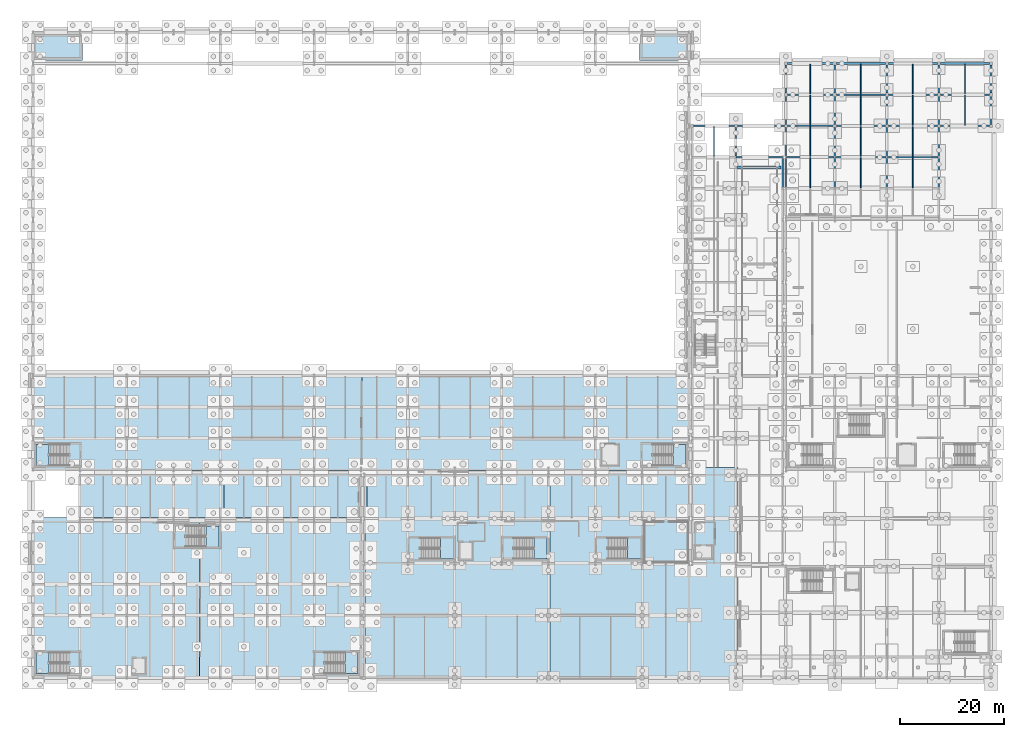
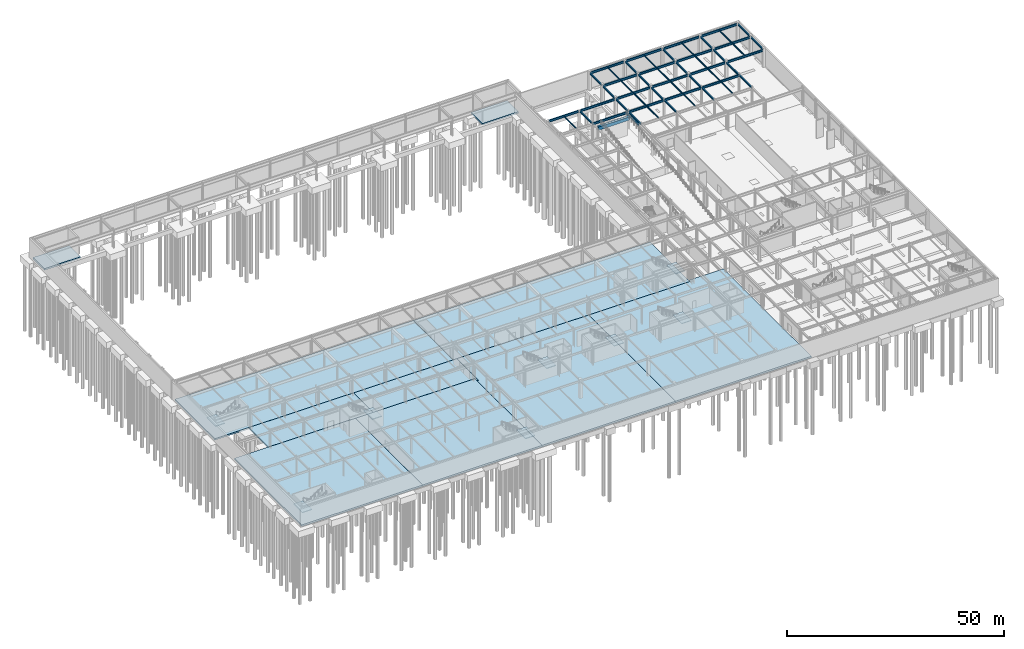
# One storey, part 39 of 65: 54 beams, 18 slabs, 8 elements without a shape of their own.
"""IFC4 building model written with IfcOpenShell, lengths in metres."""

import ifcopenshell
import ifcopenshell.guid

model = None  # the IFC model being written
_history = None  # IfcOwnerHistory: only IFC2X3 demands one
_inside = {}  # id of a spatial element -> (the spatial element, [elements in it])
_under = {}  # id of a project, library or spatial element -> (it, [spatial elements below it])
_declared = {}  # id of a project -> (the project, [libraries it declares])
_typed = {}  # id of a type object -> (the type object, [elements of that type])
_made_of = {}  # id of a material, layer set ... -> (it, [elements and type objects made of it])


def new_model(schema):
    """Start an empty IFC model of exactly this schema.

    Asked for "IFC4X3", IfcOpenShell would pick the latest addendum, in which some entities
    have other attributes; the version numbers below select the first issue.
    IFC2X3 requires an IfcOwnerHistory on every rooted entity: one is made here for all.
    """
    global model, _history
    if schema == "IFC4X3":
        model = ifcopenshell.file(schema_version=(4, 3, 0, 0))
    else:
        model = ifcopenshell.file(schema=schema)
    _inside.clear()
    _under.clear()
    _declared.clear()
    _typed.clear()
    _made_of.clear()
    _history = None
    if model.schema == "IFC2X3":
        org = make("IfcOrganization", Name="unknown")
        user = make(
            "IfcPersonAndOrganization",
            ThePerson=make("IfcPerson", FamilyName="unknown"),
            TheOrganization=org,
        )
        app = make(
            "IfcApplication",
            ApplicationDeveloper=org,
            Version="unknown",
            ApplicationFullName="unknown",
            ApplicationIdentifier="unknown",
        )
        _history = make(
            "IfcOwnerHistory",
            OwningUser=user,
            OwningApplication=app,
            ChangeAction="ADDED",
            CreationDate=0,
        )
    return model


def make(cls, **values):
    """One entity of the class cls with the attributes given. An attribute that is None is left unset."""
    return model.create_entity(
        cls, **{name: value for name, value in values.items() if value is not None}
    )


def rooted(cls, **values):
    """An entity with a GlobalId (a new one), such as an element, a storey or a relation."""
    return make(cls, GlobalId=ifcopenshell.guid.new(), OwnerHistory=_history, **values)


def si_unit(unit_type, name, prefix=None):
    """IfcSIUnit, for example si_unit("LENGTHUNIT", "METRE", prefix="MILLI")."""
    return make("IfcSIUnit", UnitType=unit_type, Prefix=prefix, Name=name)


def assignment(units):
    """IfcUnitAssignment: the units of a project."""
    return None if units is None else make("IfcUnitAssignment", Units=units)


def point(xyz):
    """IfcCartesianPoint."""
    return None if xyz is None else make("IfcCartesianPoint", Coordinates=xyz)


def direction(xyz):
    """IfcDirection."""
    return None if xyz is None else make("IfcDirection", DirectionRatios=xyz)


def frame(location, z_axis=None, x_axis=None):
    """IfcAxis2Placement3D, a coordinate frame: its origin and axes. An axis left out is left unset."""
    return make(
        "IfcAxis2Placement3D",
        Location=point(location),
        Axis=direction(z_axis),
        RefDirection=direction(x_axis),
    )


def frame_2d(location, x_axis=None):
    """IfcAxis2Placement2D, a coordinate frame in the plane: its origin and x axis."""
    return make(
        "IfcAxis2Placement2D", Location=point(location), RefDirection=direction(x_axis)
    )


def origin():
    """The frame at (0, 0, 0) with its axes left unset."""
    return frame((0.0, 0.0, 0.0))


def origin_2d():
    """The frame at (0, 0) in the plane with its x axis left unset."""
    return frame_2d((0.0, 0.0))


def place(relative_to, where):
    """IfcLocalPlacement: puts the frame where relative to a parent placement (None: the world)."""
    return make(
        "IfcLocalPlacement", PlacementRelTo=relative_to, RelativePlacement=where
    )


def context(
    kind, dimensions, precision=None, world=None, true_north=None, identifier=None
):
    """IfcGeometricRepresentationContext, for example the 3D "Model" context."""
    return make(
        "IfcGeometricRepresentationContext",
        ContextIdentifier=identifier,
        ContextType=kind,
        CoordinateSpaceDimension=dimensions,
        Precision=precision,
        WorldCoordinateSystem=world,
        TrueNorth=true_north,
    )


def subcontext(parent, identifier, kind, view, scale=None):
    """IfcGeometricRepresentationSubContext, for example "Body" below "Model"."""
    return make(
        "IfcGeometricRepresentationSubContext",
        ContextIdentifier=identifier,
        ContextType=kind,
        ParentContext=parent,
        TargetScale=scale,
        TargetView=view,
    )


def project(units=None, contexts=None):
    """IfcProject with its units and contexts."""
    return rooted(
        "IfcProject",
        Name="project",
        RepresentationContexts=contexts,
        UnitsInContext=assignment(units),
    )


def spatial(cls, under=None, at=None, **own):
    """A site, building, storey or space (cls), placed at a placement, below another one or the project."""
    s = rooted(cls, ObjectPlacement=at, **own)
    if under is not None:
        _under.setdefault(under.id(), (under, []))[1].append(s)
    return s


def polyline(points):
    """IfcPolyline through the points."""
    return make("IfcPolyline", Points=[point(p) for p in points])


def profile(cls, at=None, kind="AREA", **sizes):
    """A parametric profile (cls). Its sizes go by their IFC names, for example OverallWidth=200.0."""
    return make(cls, ProfileType=kind, Position=at, **sizes)


def rectangle(**sizes):
    """IfcRectangleProfileDef."""
    return profile("IfcRectangleProfileDef", **sizes)


def i_section(**sizes):
    """IfcIShapeProfileDef."""
    return profile("IfcIShapeProfileDef", **sizes)


def outline(outer, holes=None, kind="AREA"):
    """IfcArbitraryClosedProfileDef: a profile drawn as a closed curve; with holes, ...WithVoids."""
    if holes is None:
        return make("IfcArbitraryClosedProfileDef", ProfileType=kind, OuterCurve=outer)
    return make(
        "IfcArbitraryProfileDefWithVoids",
        ProfileType=kind,
        OuterCurve=outer,
        InnerCurves=holes,
    )


def extrude(swept, where, along, depth):
    """IfcExtrudedAreaSolid: the profile swept, set in the frame where, extruded along a direction by depth."""
    return make(
        "IfcExtrudedAreaSolid",
        SweptArea=swept,
        Position=where,
        ExtrudedDirection=direction(along),
        Depth=depth,
    )


def shape(context_of_items, identifier, shape_type, items):
    """IfcShapeRepresentation: the items that make up one representation, for example the "Body"."""
    return make(
        "IfcShapeRepresentation",
        ContextOfItems=context_of_items,
        RepresentationIdentifier=identifier,
        RepresentationType=shape_type,
        Items=items,
    )


def material(Name=None, Category=None):
    """IfcMaterial."""
    return make("IfcMaterial", Name=Name, Category=Category)


def layer(
    of_material, thickness, ventilated=None, Name=None, Category=None, Priority=None
):
    """IfcMaterialLayer: one layer of a wall or slab, of a material (None: an air gap)."""
    return make(
        "IfcMaterialLayer",
        Material=of_material,
        LayerThickness=thickness,
        IsVentilated=ventilated,
        Name=Name,
        Category=Category,
        Priority=Priority,
    )


def layer_set(layers, Name=None):
    """IfcMaterialLayerSet."""
    return make("IfcMaterialLayerSet", MaterialLayers=layers, LayerSetName=Name)


def material_profile(
    of_material, cross_section, Name=None, Category=None, Priority=None
):
    """IfcMaterialProfile: a cross section and its material."""
    return make(
        "IfcMaterialProfile",
        Name=Name,
        Material=of_material,
        Profile=cross_section,
        Priority=Priority,
        Category=Category,
    )


def profile_set(profiles, Name=None, composite=None):
    """IfcMaterialProfileSet."""
    return make(
        "IfcMaterialProfileSet",
        Name=Name,
        MaterialProfiles=profiles,
        CompositeProfile=composite,
    )


def made_of(thing, what):
    """Note that an element or type object is made of a material, layer set ...; save() writes the relation."""
    if what is not None:
        _made_of.setdefault(what.id(), (what, []))[1].append(thing)
    return thing


def type_object(cls, material=None, **own):
    """A type object (cls), such as IfcWallType, which elements share."""
    return made_of(rooted(cls, **own), material)


def element(
    cls,
    number,
    at=None,
    inside=None,
    cuts=None,
    type_object=None,
    material=None,
    context=None,
    identifier="Body",
    shape_type=None,
    held_by="IfcProductDefinitionShape",
    body=None,
    shapes=None,
    **own,
):
    """One element of the class cls, such as IfcWall. Its Tag is "e" and its number.

    at: its placement. inside: the storey or other place that contains it. cuts: it is an
    opening in that element (IfcRelVoidsElement). A single representation is given by context,
    identifier, shape_type and body (its items); several are given by shapes. held_by: the class
    of the entity that holds the representations. save() writes the other relations.
    """
    e = rooted(cls, Tag="e%d" % number, ObjectPlacement=at, **own)
    if body is not None:
        shapes = [shape(context, identifier, shape_type, body)]
    if shapes is not None:
        e.Representation = make(held_by, Representations=shapes)
    if inside is not None:
        _inside.setdefault(inside.id(), (inside, []))[1].append(e)
    if cuts is not None:
        rooted(
            "IfcRelVoidsElement", RelatingBuildingElement=cuts, RelatedOpeningElement=e
        )
    if type_object is not None:
        _typed.setdefault(type_object.id(), (type_object, []))[1].append(e)
    return made_of(e, material)


def aggregate(whole, parts):
    """IfcRelAggregates: a whole, such as a stair, and the parts it consists of."""
    return rooted("IfcRelAggregates", RelatingObject=whole, RelatedObjects=parts)


def save(model, path):
    """Write the relations noted so far, then the file.

    IfcRelAggregates (storeys below a building ...), IfcRelContainedInSpatialStructure (elements
    in a storey), IfcRelDefinesByType, IfcRelAssociatesMaterial and IfcRelDeclares: one each for
    every whole, place, type object, material and project.
    """
    for whole, parts in _under.values():
        aggregate(whole, parts)
    for where, things in _inside.values():
        rooted(
            "IfcRelContainedInSpatialStructure",
            RelatedElements=things,
            RelatingStructure=where,
        )
    for kind, things in _typed.values():
        rooted("IfcRelDefinesByType", RelatedObjects=things, RelatingType=kind)
    for what, things in _made_of.values():
        rooted("IfcRelAssociatesMaterial", RelatedObjects=things, RelatingMaterial=what)
    for by, libraries in _declared.values():
        rooted("IfcRelDeclares", RelatingContext=by, RelatedDefinitions=libraries)
    model.write(path)


model = new_model("IFC4")

# Units and contexts
model_context = context("Model", 3, precision=1e-05, world=origin(), true_north=direction((0.0, 1.0)))
body_context = subcontext(model_context, "Body", "Model", "MODEL_VIEW")
ifc_project = project(units=[si_unit("LENGTHUNIT", "METRE"), si_unit("AREAUNIT", "SQUARE_METRE"), si_unit("VOLUMEUNIT", "CUBIC_METRE"), si_unit("PLANEANGLEUNIT", "RADIAN"), si_unit("MASSUNIT", "GRAM", prefix="KILO")], contexts=[model_context])

# Site, building, storey
site_placement = place(None, origin())
site = spatial("IfcSite", under=ifc_project, at=site_placement, CompositionType="ELEMENT")
building_placement = place(site_placement, origin())
building = spatial("IfcBuilding", under=site, at=building_placement, Name="Kaldris Quays Convention Centre", CompositionType="ELEMENT")
storey_placement = place(building_placement, frame((0.0, 0.0, -5.39990234375)))
storey = spatial("IfcBuildingStorey", under=building, at=storey_placement, Name="B1", CompositionType="ELEMENT", Elevation=-5.39990234375)

# Beams
ifc_material_1 = material(Name="Steel S355J2", Category="steel")
ifc_material_profile_1 = material_profile(ifc_material_1, i_section(OverallWidth=0.300048828125, OverallDepth=0.60009765625, WebThickness=0.015380859375, FlangeThickness=0.030029296875, FilletRadius=0.027099609375, at=origin_2d()), Name="HEB 600")
ifc_profile_set_1 = profile_set([ifc_material_profile_1], Name="Steel S355J2")
beam_type_1 = type_object("IfcBeamType", Name="STRUCTURAL BEAM BM05", PredefinedType="BEAM", material=ifc_profile_set_1)
beam_1_placement = place(storey_placement, frame((155.000732421875, 116.0, 4.697998046875), z_axis=(1.0, 0.0, 0.0), x_axis=(0.0, 1.0, 0.0)))
element("IfcBeam", 1, at=beam_1_placement, inside=storey, type_object=beam_type_1, Name="B1 Girder BM05 69", PredefinedType="BEAM", context=body_context, shape_type="SweptSolid", body=[
    extrude(i_section(OverallWidth=0.300048828125, OverallDepth=0.60009765625, WebThickness=0.015380859375, FlangeThickness=0.030029296875, FilletRadius=0.027099609375, at=origin_2d()), origin(), (0.0, 0.0, 1.0), 8.99853515625),
])
beam_2_placement = place(storey_placement, frame((164.743896484375, 116.0, 4.697998046875), z_axis=(1.0, 0.0, 0.0), x_axis=(0.0, 1.0, 0.0)))
element("IfcBeam", 2, at=beam_2_placement, inside=storey, type_object=beam_type_1, Name="B1 Girder BM05 70", PredefinedType="BEAM", context=body_context, shape_type="SweptSolid", body=[
    extrude(i_section(OverallWidth=0.300048828125, OverallDepth=0.60009765625, WebThickness=0.015380859375, FlangeThickness=0.030029296875, FilletRadius=0.027099609375, at=origin_2d()), origin(), (0.0, 0.0, 1.0), 9.112060546875),
])
for number, where, z_axis, x_axis, name in (
    (3, (174.14404296875, 116.0, 4.697998046875), (1.0, 0.0, 0.0), (0.0, 1.0, 0.0), "B1 Girder BM05 71"),
    (4, (184.14404296875, 116.0, 4.697998046875), (1.0, 0.0, 0.0), (0.0, 1.0, 0.0), "B1 Girder BM05 72"),
):
    element("IfcBeam", number, at=place(storey_placement, frame(where, z_axis=z_axis, x_axis=x_axis)), inside=storey, type_object=beam_type_1, Name=name, PredefinedType="BEAM", context=body_context, shape_type="SweptSolid", body=[
        extrude(i_section(OverallWidth=0.300048828125, OverallDepth=0.60009765625, WebThickness=0.015380859375, FlangeThickness=0.030029296875, FilletRadius=0.027099609375, at=origin_2d()), origin(), (0.0, 0.0, 1.0), 9.7119140625),
    ])
beam_3_placement = place(storey_placement, frame((146.89404296875, 122.0, 4.697998046875), z_axis=(1.0, 0.0, 0.0), x_axis=(0.0, 1.0, 0.0)))
element("IfcBeam", 5, at=beam_3_placement, inside=storey, type_object=beam_type_1, Name="B1 Girder BM05 73", PredefinedType="BEAM", context=body_context, shape_type="SweptSolid", body=[
    extrude(i_section(OverallWidth=0.300048828125, OverallDepth=0.60009765625, WebThickness=0.015380859375, FlangeThickness=0.030029296875, FilletRadius=0.027099609375, at=origin_2d()), origin(), (0.0, 0.0, 1.0), 7.81201171875),
])
beam_4_placement = place(storey_placement, frame((155.2939453125, 122.0, 4.697998046875), z_axis=(1.0, 0.0, 0.0), x_axis=(0.0, 1.0, 0.0)))
element("IfcBeam", 6, at=beam_4_placement, inside=storey, type_object=beam_type_1, Name="B1 Girder BM05 74", PredefinedType="BEAM", context=body_context, shape_type="SweptSolid", body=[
    extrude(i_section(OverallWidth=0.300048828125, OverallDepth=0.60009765625, WebThickness=0.015380859375, FlangeThickness=0.030029296875, FilletRadius=0.027099609375, at=origin_2d()), origin(), (0.0, 0.0, 1.0), 9.011962890625),
])
beam_5_placement = place(storey_placement, frame((164.89404296875, 122.0, 4.697998046875), z_axis=(1.0, 0.0, 0.0), x_axis=(0.0, 1.0, 0.0)))
element("IfcBeam", 7, at=beam_5_placement, inside=storey, type_object=beam_type_1, Name="B1 Girder BM05 75", PredefinedType="BEAM", context=body_context, shape_type="SweptSolid", body=[
    extrude(i_section(OverallWidth=0.300048828125, OverallDepth=0.60009765625, WebThickness=0.015380859375, FlangeThickness=0.030029296875, FilletRadius=0.027099609375, at=origin_2d()), origin(), (0.0, 0.0, 1.0), 8.81201171875),
])
for number, where, z_axis, x_axis, name in (
    (8, (174.2939453125, 122.0, 4.697998046875), (1.0, 0.0, 0.0), (0.0, 1.0, 0.0), "B1 Girder BM05 76"),
    (9, (184.2939453125, 122.0, 4.697998046875), (1.0, 0.0, 0.0), (0.0, 1.0, 0.0), "B1 Girder BM05 77"),
    (10, (194.2939453125, 122.0, 4.697998046875), (1.0, 0.0, 0.0), (0.0, 1.0, 0.0), "B1 Girder BM05 78"),
):
    element("IfcBeam", number, at=place(storey_placement, frame(where, z_axis=z_axis, x_axis=x_axis)), inside=storey, type_object=beam_type_1, Name=name, PredefinedType="BEAM", context=body_context, shape_type="SweptSolid", body=[
        extrude(i_section(OverallWidth=0.300048828125, OverallDepth=0.60009765625, WebThickness=0.015380859375, FlangeThickness=0.030029296875, FilletRadius=0.027099609375, at=origin_2d()), origin(), (0.0, 0.0, 1.0), 9.412109375),
    ])
beam_6_placement = place(storey_placement, frame((164.89404296875, 128.0, 4.697998046875), z_axis=(1.0, 0.0, 0.0), x_axis=(0.0, 1.0, 0.0)))
element("IfcBeam", 11, at=beam_6_placement, inside=storey, type_object=beam_type_1, Name="B1 Girder BM05 79", PredefinedType="BEAM", context=body_context, shape_type="SweptSolid", body=[
    extrude(i_section(OverallWidth=0.300048828125, OverallDepth=0.60009765625, WebThickness=0.015380859375, FlangeThickness=0.030029296875, FilletRadius=0.027099609375, at=origin_2d()), origin(), (0.0, 0.0, 1.0), 8.81201171875),
])
for number, where, z_axis, x_axis, name in (
    (12, (174.2939453125, 128.0, 4.697998046875), (1.0, 0.0, 0.0), (0.0, 1.0, 0.0), "B1 Girder BM05 80"),
    (13, (184.2939453125, 128.0, 4.697998046875), (1.0, 0.0, 0.0), (0.0, 1.0, 0.0), "B1 Girder BM05 81"),
    (14, (194.2939453125, 128.0, 4.697998046875), (1.0, 0.0, 0.0), (0.0, 1.0, 0.0), "B1 Girder BM05 82"),
):
    element("IfcBeam", number, at=place(storey_placement, frame(where, z_axis=z_axis, x_axis=x_axis)), inside=storey, type_object=beam_type_1, Name=name, PredefinedType="BEAM", context=body_context, shape_type="SweptSolid", body=[
        extrude(i_section(OverallWidth=0.300048828125, OverallDepth=0.60009765625, WebThickness=0.015380859375, FlangeThickness=0.030029296875, FilletRadius=0.027099609375, at=origin_2d()), origin(), (0.0, 0.0, 1.0), 9.412109375),
    ])
beam_7_placement = place(storey_placement, frame((164.89404296875, 134.0, 4.697998046875), z_axis=(1.0, 0.0, 0.0), x_axis=(0.0, 1.0, 0.0)))
element("IfcBeam", 15, at=beam_7_placement, inside=storey, type_object=beam_type_1, Name="B1 Girder BM05 83", PredefinedType="BEAM", context=body_context, shape_type="SweptSolid", body=[
    extrude(i_section(OverallWidth=0.300048828125, OverallDepth=0.60009765625, WebThickness=0.015380859375, FlangeThickness=0.030029296875, FilletRadius=0.027099609375, at=origin_2d()), origin(), (0.0, 0.0, 1.0), 8.81201171875),
])
for number, where, z_axis, x_axis, name in (
    (16, (174.2939453125, 134.0, 4.697998046875), (1.0, 0.0, 0.0), (0.0, 1.0, 0.0), "B1 Girder BM05 84"),
    (17, (184.2939453125, 134.0, 4.697998046875), (1.0, 0.0, 0.0), (0.0, 1.0, 0.0), "B1 Girder BM05 85"),
    (18, (194.2939453125, 134.0, 4.697998046875), (1.0, 0.0, 0.0), (0.0, 1.0, 0.0), "B1 Girder BM05 86"),
):
    element("IfcBeam", number, at=place(storey_placement, frame(where, z_axis=z_axis, x_axis=x_axis)), inside=storey, type_object=beam_type_1, Name=name, PredefinedType="BEAM", context=body_context, shape_type="SweptSolid", body=[
        extrude(i_section(OverallWidth=0.300048828125, OverallDepth=0.60009765625, WebThickness=0.015380859375, FlangeThickness=0.030029296875, FilletRadius=0.027099609375, at=origin_2d()), origin(), (0.0, 0.0, 1.0), 9.412109375),
    ])
ifc_material_profile_2 = material_profile(ifc_material_1, i_section(OverallWidth=0.300048828125, OverallDepth=0.449951171875, WebThickness=0.013916015625, FlangeThickness=0.02587890625, FilletRadius=0.027099609375, at=origin_2d()), Name="HEB 450")
ifc_profile_set_2 = profile_set([ifc_material_profile_2], Name="Steel S355J2")
beam_type_2 = type_object("IfcBeamType", Name="STRUCTURAL BEAM BM07", PredefinedType="BEAM", material=ifc_profile_set_2)
beam_8_placement = place(storey_placement, frame((155.0, 116.194091796875, 4.77294921875), z_axis=(0.0, 1.0, 0.0), x_axis=(-1.0, 0.0, 0.0)))
element("IfcBeam", 19, at=beam_8_placement, inside=storey, type_object=beam_type_2, Name="B1 Girder BM07 139", PredefinedType="BEAM", context=body_context, shape_type="SweptSolid", body=[
    extrude(i_section(OverallWidth=0.300048828125, OverallDepth=0.449951171875, WebThickness=0.013916015625, FlangeThickness=0.02587890625, FilletRadius=0.027099609375, at=origin_2d()), origin(), (0.0, 0.0, 1.0), 5.511962890625),
])
beam_9_placement = place(storey_placement, frame((164.0, 110.194091796875, 4.77294921875), z_axis=(0.0, 1.0, 0.0), x_axis=(-1.0, 0.0, 0.0)))
element("IfcBeam", 20, at=beam_9_placement, inside=storey, type_object=beam_type_2, Name="B1 Girder BM07 151", PredefinedType="BEAM", context=body_context, shape_type="SweptSolid", body=[
    extrude(i_section(OverallWidth=0.300048828125, OverallDepth=0.449951171875, WebThickness=0.013916015625, FlangeThickness=0.02587890625, FilletRadius=0.027099609375, at=origin_2d()), origin(), (0.0, 0.0, 1.0), 5.61181640625),
])
beam_10_placement = place(storey_placement, frame((164.60009765625, 110.174072265625, 4.77294921875), z_axis=(0.0, 1.0, 0.0), x_axis=(-1.0, 0.0, 0.0)))
element("IfcBeam", 21, at=beam_10_placement, inside=storey, type_object=beam_type_2, Name="B1 Girder BM07 153", PredefinedType="BEAM", context=body_context, shape_type="SweptSolid", body=[
    extrude(i_section(OverallWidth=0.300048828125, OverallDepth=0.449951171875, WebThickness=0.013916015625, FlangeThickness=0.02587890625, FilletRadius=0.027099609375, at=origin_2d()), origin(), (0.0, 0.0, 1.0), 5.65185546875),
])
beam_11_placement = place(storey_placement, frame((164.60009765625, 116.174072265625, 4.77294921875), z_axis=(0.0, 1.0, 0.0), x_axis=(-1.0, 0.0, 0.0)))
element("IfcBeam", 22, at=beam_11_placement, inside=storey, type_object=beam_type_2, Name="B1 Girder BM07 154", PredefinedType="BEAM", context=body_context, shape_type="SweptSolid", body=[
    extrude(i_section(OverallWidth=0.300048828125, OverallDepth=0.449951171875, WebThickness=0.013916015625, FlangeThickness=0.02587890625, FilletRadius=0.027099609375, at=origin_2d()), origin(), (0.0, 0.0, 1.0), 5.531982421875),
])
for number, where, z_axis, x_axis, name in (
    (23, (164.60009765625, 122.2939453125, 4.77294921875), (0.0, 1.0, 0.0), (-1.0, 0.0, 0.0), "B1 Girder BM07 155"),
    (24, (164.60009765625, 128.2939453125, 4.77294921875), (0.0, 1.0, 0.0), (-1.0, 0.0, 0.0), "B1 Girder BM07 156"),
):
    element("IfcBeam", number, at=place(storey_placement, frame(where, z_axis=z_axis, x_axis=x_axis)), inside=storey, type_object=beam_type_2, Name=name, PredefinedType="BEAM", context=body_context, shape_type="SweptSolid", body=[
        extrude(i_section(OverallWidth=0.300048828125, OverallDepth=0.449951171875, WebThickness=0.013916015625, FlangeThickness=0.02587890625, FilletRadius=0.027099609375, at=origin_2d()), origin(), (0.0, 0.0, 1.0), 5.412109375),
    ])
beam_12_placement = place(storey_placement, frame((174.0, 110.174072265625, 4.822998046875), z_axis=(0.0, 1.0, 0.0), x_axis=(-1.0, 0.0, 0.0)))
element("IfcBeam", 25, at=beam_12_placement, inside=storey, type_object=beam_type_2, Name="B1 Girder BM07 159", PredefinedType="BEAM", context=body_context, shape_type="SweptSolid", body=[
    extrude(i_section(OverallWidth=0.300048828125, OverallDepth=0.449951171875, WebThickness=0.013916015625, FlangeThickness=0.02587890625, FilletRadius=0.027099609375, at=origin_2d()), origin(), (0.0, 0.0, 1.0), 5.65185546875),
])
beam_13_placement = place(storey_placement, frame((174.0, 116.174072265625, 4.77294921875), z_axis=(0.0, 1.0, 0.0), x_axis=(-1.0, 0.0, 0.0)))
element("IfcBeam", 26, at=beam_13_placement, inside=storey, type_object=beam_type_2, Name="B1 Girder BM07 160", PredefinedType="BEAM", context=body_context, shape_type="SweptSolid", body=[
    extrude(i_section(OverallWidth=0.300048828125, OverallDepth=0.449951171875, WebThickness=0.013916015625, FlangeThickness=0.02587890625, FilletRadius=0.027099609375, at=origin_2d()), origin(), (0.0, 0.0, 1.0), 5.531982421875),
])
for number, where, z_axis, x_axis, name in (
    (27, (174.0, 122.2939453125, 4.77294921875), (0.0, 1.0, 0.0), (-1.0, 0.0, 0.0), "B1 Girder BM07 161"),
    (28, (174.0, 128.2939453125, 4.77294921875), (0.0, 1.0, 0.0), (-1.0, 0.0, 0.0), "B1 Girder BM07 162"),
):
    element("IfcBeam", number, at=place(storey_placement, frame(where, z_axis=z_axis, x_axis=x_axis)), inside=storey, type_object=beam_type_2, Name=name, PredefinedType="BEAM", context=body_context, shape_type="SweptSolid", body=[
        extrude(i_section(OverallWidth=0.300048828125, OverallDepth=0.449951171875, WebThickness=0.013916015625, FlangeThickness=0.02587890625, FilletRadius=0.027099609375, at=origin_2d()), origin(), (0.0, 0.0, 1.0), 5.412109375),
    ])
beam_14_placement = place(storey_placement, frame((184.0, 110.174072265625, 4.822998046875), z_axis=(0.0, 1.0, 0.0), x_axis=(-1.0, 0.0, 0.0)))
element("IfcBeam", 29, at=beam_14_placement, inside=storey, type_object=beam_type_2, Name="B1 Girder BM07 164", PredefinedType="BEAM", context=body_context, shape_type="SweptSolid", body=[
    extrude(i_section(OverallWidth=0.300048828125, OverallDepth=0.449951171875, WebThickness=0.013916015625, FlangeThickness=0.02587890625, FilletRadius=0.027099609375, at=origin_2d()), origin(), (0.0, 0.0, 1.0), 5.65185546875),
])
beam_15_placement = place(storey_placement, frame((184.0, 116.174072265625, 4.77294921875), z_axis=(0.0, 1.0, 0.0), x_axis=(-1.0, 0.0, 0.0)))
element("IfcBeam", 30, at=beam_15_placement, inside=storey, type_object=beam_type_2, Name="B1 Girder BM07 165", PredefinedType="BEAM", context=body_context, shape_type="SweptSolid", body=[
    extrude(i_section(OverallWidth=0.300048828125, OverallDepth=0.449951171875, WebThickness=0.013916015625, FlangeThickness=0.02587890625, FilletRadius=0.027099609375, at=origin_2d()), origin(), (0.0, 0.0, 1.0), 5.531982421875),
])
for number, where, z_axis, x_axis, name in (
    (31, (184.0, 122.2939453125, 4.77294921875), (0.0, 1.0, 0.0), (-1.0, 0.0, 0.0), "B1 Girder BM07 166"),
    (32, (184.0, 128.2939453125, 4.77294921875), (0.0, 1.0, 0.0), (-1.0, 0.0, 0.0), "B1 Girder BM07 167"),
):
    element("IfcBeam", number, at=place(storey_placement, frame(where, z_axis=z_axis, x_axis=x_axis)), inside=storey, type_object=beam_type_2, Name=name, PredefinedType="BEAM", context=body_context, shape_type="SweptSolid", body=[
        extrude(i_section(OverallWidth=0.300048828125, OverallDepth=0.449951171875, WebThickness=0.013916015625, FlangeThickness=0.02587890625, FilletRadius=0.027099609375, at=origin_2d()), origin(), (0.0, 0.0, 1.0), 5.412109375),
    ])
beam_16_placement = place(storey_placement, frame((194.0, 110.174072265625, 4.822998046875), z_axis=(0.0, 1.0, 0.0), x_axis=(-1.0, 0.0, 0.0)))
element("IfcBeam", 33, at=beam_16_placement, inside=storey, type_object=beam_type_2, Name="B1 Girder BM07 170", PredefinedType="BEAM", context=body_context, shape_type="SweptSolid", body=[
    extrude(i_section(OverallWidth=0.300048828125, OverallDepth=0.449951171875, WebThickness=0.013916015625, FlangeThickness=0.02587890625, FilletRadius=0.027099609375, at=origin_2d()), origin(), (0.0, 0.0, 1.0), 5.65185546875),
])
beam_17_placement = place(storey_placement, frame((194.0, 116.174072265625, 4.77294921875), z_axis=(0.0, 1.0, 0.0), x_axis=(-1.0, 0.0, 0.0)))
element("IfcBeam", 34, at=beam_17_placement, inside=storey, type_object=beam_type_2, Name="B1 Girder BM07 171", PredefinedType="BEAM", context=body_context, shape_type="SweptSolid", body=[
    extrude(i_section(OverallWidth=0.300048828125, OverallDepth=0.449951171875, WebThickness=0.013916015625, FlangeThickness=0.02587890625, FilletRadius=0.027099609375, at=origin_2d()), origin(), (0.0, 0.0, 1.0), 5.531982421875),
])
for number, where, z_axis, x_axis, name in (
    (35, (194.0, 122.2939453125, 4.77294921875), (0.0, 1.0, 0.0), (-1.0, 0.0, 0.0), "B1 Girder BM07 172"),
    (36, (194.0, 128.2939453125, 4.77294921875), (0.0, 1.0, 0.0), (-1.0, 0.0, 0.0), "B1 Girder BM07 173"),
    (37, (204.0, 122.2939453125, 4.77294921875), (0.0, 1.0, 0.0), (-1.0, 0.0, 0.0), "B1 Girder BM07 174"),
    (38, (204.0, 128.2939453125, 4.77294921875), (0.0, 1.0, 0.0), (-1.0, 0.0, 0.0), "B1 Girder BM07 175"),
):
    element("IfcBeam", number, at=place(storey_placement, frame(where, z_axis=z_axis, x_axis=x_axis)), inside=storey, type_object=beam_type_2, Name=name, PredefinedType="BEAM", context=body_context, shape_type="SweptSolid", body=[
        extrude(i_section(OverallWidth=0.300048828125, OverallDepth=0.449951171875, WebThickness=0.013916015625, FlangeThickness=0.02587890625, FilletRadius=0.027099609375, at=origin_2d()), origin(), (0.0, 0.0, 1.0), 5.412109375),
    ])
ifc_material_profile_3 = material_profile(ifc_material_1, i_section(OverallWidth=0.169921875, OverallDepth=0.360107421875, WebThickness=0.008056640625, FlangeThickness=0.0126953125, FilletRadius=0.01806640625, at=origin_2d()), Name="IPE 360")
ifc_profile_set_3 = profile_set([ifc_material_profile_3], Name="Steel S355J2")
beam_type_3 = type_object("IfcBeamType", Name="STRUCTURAL BEAM JT03", PredefinedType="JOIST", material=ifc_profile_set_3)
for number, where, z_axis, x_axis, name in (
    (39, (169.300048828125, 110.14404296875, 4.81787109375), (0.0, 1.0, 0.0), (-1.0, 0.0, 0.0), "B1 Secondary Joist JT03 39"),
    (40, (179.0, 110.14404296875, 4.81787109375), (0.0, 1.0, 0.0), (-1.0, 0.0, 0.0), "B1 Secondary Joist JT03 40"),
    (41, (189.0, 110.14404296875, 4.81787109375), (0.0, 1.0, 0.0), (-1.0, 0.0, 0.0), "B1 Secondary Joist JT03 41"),
    (42, (150.800048828125, 116.14404296875, 4.81787109375), (0.0, 1.0, 0.0), (-1.0, 0.0, 0.0), "B1 Secondary Joist JT03 42"),
    (43, (169.300048828125, 116.14404296875, 4.81787109375), (0.0, 1.0, 0.0), (-1.0, 0.0, 0.0), "B1 Secondary Joist JT03 43"),
    (44, (179.0, 116.14404296875, 4.81787109375), (0.0, 1.0, 0.0), (-1.0, 0.0, 0.0), "B1 Secondary Joist JT03 44"),
    (45, (189.0, 116.14404296875, 4.81787109375), (0.0, 1.0, 0.0), (-1.0, 0.0, 0.0), "B1 Secondary Joist JT03 45"),
    (46, (169.300048828125, 122.14404296875, 4.81787109375), (0.0, 1.0, 0.0), (-1.0, 0.0, 0.0), "B1 Secondary Joist JT03 46"),
    (47, (179.0, 122.14404296875, 4.81787109375), (0.0, 1.0, 0.0), (-1.0, 0.0, 0.0), "B1 Secondary Joist JT03 47"),
    (48, (189.0, 122.14404296875, 4.81787109375), (0.0, 1.0, 0.0), (-1.0, 0.0, 0.0), "B1 Secondary Joist JT03 48"),
    (49, (199.0, 122.14404296875, 4.81787109375), (0.0, 1.0, 0.0), (-1.0, 0.0, 0.0), "B1 Secondary Joist JT03 49"),
    (50, (169.300048828125, 128.14404296875, 4.81787109375), (0.0, 1.0, 0.0), (-1.0, 0.0, 0.0), "B1 Secondary Joist JT03 50"),
    (51, (179.0, 128.14404296875, 4.81787109375), (0.0, 1.0, 0.0), (-1.0, 0.0, 0.0), "B1 Secondary Joist JT03 51"),
    (52, (189.0, 128.14404296875, 4.81787109375), (0.0, 1.0, 0.0), (-1.0, 0.0, 0.0), "B1 Secondary Joist JT03 52"),
    (53, (199.0, 128.14404296875, 4.81787109375), (0.0, 1.0, 0.0), (-1.0, 0.0, 0.0), "B1 Secondary Joist JT03 53"),
):
    element("IfcBeam", number, at=place(storey_placement, frame(where, z_axis=z_axis, x_axis=x_axis)), inside=storey, type_object=beam_type_3, Name=name, PredefinedType="JOIST", context=body_context, shape_type="SweptSolid", body=[
        extrude(i_section(OverallWidth=0.169921875, OverallDepth=0.360107421875, WebThickness=0.008056640625, FlangeThickness=0.0126953125, FilletRadius=0.01806640625, at=origin_2d()), origin(), (0.0, 0.0, 1.0), 5.7119140625),
    ])
ifc_material_2 = material(Name="Concrete C35/45", Category="concrete")
ifc_material_profile_4 = material_profile(ifc_material_2, rectangle(XDim=0.60009765625, YDim=0.89990234375, at=origin_2d()), Name="RC 600x900")
ifc_profile_set_4 = profile_set([ifc_material_profile_4], Name="Concrete C35/45")
beam_type_4 = type_object("IfcBeamType", Name="STRUCTURAL BEAM TB02", PredefinedType="T_BEAM", material=ifc_profile_set_4)
beam_18_placement = place(storey_placement, frame((155.31005859375, 114.0, 4.64990234375), z_axis=(1.0, 0.0, 0.0), x_axis=(0.0, 1.0, 0.0)))
element("IfcBeam", 54, at=beam_18_placement, inside=storey, type_object=beam_type_4, Name="B1 Vehicle Ramp VR01 Arrival Support Girder TB02", PredefinedType="T_BEAM", context=body_context, shape_type="SweptSolid", body=[
    extrude(rectangle(XDim=0.60009765625, YDim=0.89990234375, at=origin_2d()), origin(), (0.0, 0.0, 1.0), 8.3798828125),
])

# Stair, slab
stair_type = type_object("IfcStairType", Name="DOGLEG ESCAPE STAIR STF1", PredefinedType="TWO_STRAIGHT_RUN_STAIR", material=ifc_material_2)
stair_1_placement = place(storey_placement, origin())
stair_1 = element("IfcStair", 55, at=stair_1_placement, inside=storey, type_object=stair_type, Name="B1 Escape Stair ST01", PredefinedType="TWO_STRAIGHT_RUN_STAIR")
ifc_layer_1 = layer(ifc_material_2, 0.205078125)
ifc_layer_set_1 = layer_set([ifc_layer_1], Name="Concrete C35/45")
slab_type_1 = type_object("IfcSlabType", Name="STAIR LANDING SLAB LS01", PredefinedType="LANDING", material=ifc_layer_set_1)
slab_1_placement = place(storey_placement, frame((0.0, 0.0, 2.494873046875)))
slab_1 = element("IfcSlab", 56, at=slab_1_placement, type_object=slab_type_1, Name="STF1 landing 1", PredefinedType="LANDING", context=body_context, shape_type="SweptSolid", body=[
    extrude(outline(polyline([(23.080078125, 60.85009765625), (20.550048828125, 60.85009765625), (20.550048828125, 56.800048828125), (23.080078125, 56.800048828125), (23.080078125, 60.85009765625)])), origin(), (0.0, 0.0, 1.0), 0.205078125),
])
aggregate(stair_1, [slab_1])

stair_2_placement = place(storey_placement, origin())
stair_2 = element("IfcStair", 57, at=stair_2_placement, inside=storey, type_object=stair_type, Name="B1 Escape Stair ST02", PredefinedType="TWO_STRAIGHT_RUN_STAIR")
slab_2_placement = place(storey_placement, frame((0.0, 0.0, 2.494873046875)))
slab_2 = element("IfcSlab", 58, at=slab_2_placement, type_object=slab_type_1, Name="STF1 landing 1", PredefinedType="LANDING", context=body_context, shape_type="SweptSolid", body=[
    extrude(outline(polyline([(142.919921875, 56.800048828125), (145.449951171875, 56.800048828125), (145.449951171875, 60.85009765625), (142.919921875, 60.85009765625), (142.919921875, 56.800048828125)])), origin(), (0.0, 0.0, 1.0), 0.205078125),
])
aggregate(stair_2, [slab_2])

stair_3_placement = place(storey_placement, origin())
stair_3 = element("IfcStair", 59, at=stair_3_placement, inside=storey, type_object=stair_type, Name="B1 Escape Stair ST05", PredefinedType="TWO_STRAIGHT_RUN_STAIR")
slab_3_placement = place(storey_placement, frame((0.0, 0.0, 2.494873046875)))
slab_3 = element("IfcSlab", 60, at=slab_3_placement, type_object=slab_type_1, Name="STF1 landing 1", PredefinedType="LANDING", context=body_context, shape_type="SweptSolid", body=[
    extrude(outline(polyline([(23.080078125, 20.85009765625), (20.550048828125, 20.85009765625), (20.550048828125, 16.800048828125), (23.080078125, 16.800048828125), (23.080078125, 20.85009765625)])), origin(), (0.0, 0.0, 1.0), 0.205078125),
])
aggregate(stair_3, [slab_3])

stair_4_placement = place(storey_placement, origin())
stair_4 = element("IfcStair", 61, at=stair_4_placement, inside=storey, type_object=stair_type, Name="B1 Escape Stair ST06", PredefinedType="TWO_STRAIGHT_RUN_STAIR")
slab_4_placement = place(storey_placement, frame((0.0, 0.0, 2.494873046875)))
slab_4 = element("IfcSlab", 62, at=slab_4_placement, type_object=slab_type_1, Name="STF1 landing 1", PredefinedType="LANDING", context=body_context, shape_type="SweptSolid", body=[
    extrude(outline(polyline([(79.919921875, 16.800048828125), (82.449951171875, 16.800048828125), (82.449951171875, 20.85009765625), (79.919921875, 20.85009765625), (79.919921875, 16.800048828125)])), origin(), (0.0, 0.0, 1.0), 0.205078125),
])
aggregate(stair_4, [slab_4])

stair_5_placement = place(storey_placement, origin())
stair_5 = element("IfcStair", 63, at=stair_5_placement, inside=storey, type_object=stair_type, Name="B1 Escape Stair ST07", PredefinedType="TWO_STRAIGHT_RUN_STAIR")
slab_5_placement = place(storey_placement, frame((0.0, 0.0, 2.494873046875)))
slab_5 = element("IfcSlab", 64, at=slab_5_placement, type_object=slab_type_1, Name="STF1 landing 1", PredefinedType="LANDING", context=body_context, shape_type="SweptSolid", body=[
    extrude(outline(polyline([(53.219970703125, 41.14990234375), (55.75, 41.14990234375), (55.75, 45.199951171875), (53.219970703125, 45.199951171875), (53.219970703125, 41.14990234375)])), origin(), (0.0, 0.0, 1.0), 0.205078125),
])
aggregate(stair_5, [slab_5])

stair_6_placement = place(storey_placement, origin())
stair_6 = element("IfcStair", 65, at=stair_6_placement, inside=storey, type_object=stair_type, Name="B1 Escape Stair ST11", PredefinedType="TWO_STRAIGHT_RUN_STAIR")
slab_6_placement = place(storey_placement, frame((0.0, 0.0, 2.494873046875)))
slab_6 = element("IfcSlab", 66, at=slab_6_placement, type_object=slab_type_1, Name="STF1 landing 1", PredefinedType="LANDING", context=body_context, shape_type="SweptSolid", body=[
    extrude(outline(polyline([(98.219970703125, 38.800048828125), (100.75, 38.800048828125), (100.75, 42.85009765625), (98.219970703125, 42.85009765625), (98.219970703125, 38.800048828125)])), origin(), (0.0, 0.0, 1.0), 0.205078125),
])
aggregate(stair_6, [slab_6])

stair_7_placement = place(storey_placement, origin())
stair_7 = element("IfcStair", 67, at=stair_7_placement, inside=storey, type_object=stair_type, Name="B1 Escape Stair ST12", PredefinedType="TWO_STRAIGHT_RUN_STAIR")
slab_7_placement = place(storey_placement, frame((0.0, 0.0, 2.494873046875)))
slab_7 = element("IfcSlab", 68, at=slab_7_placement, type_object=slab_type_1, Name="STF1 landing 1", PredefinedType="LANDING", context=body_context, shape_type="SweptSolid", body=[
    extrude(outline(polyline([(134.219970703125, 38.800048828125), (136.75, 38.800048828125), (136.75, 42.85009765625), (134.219970703125, 42.85009765625), (134.219970703125, 38.800048828125)])), origin(), (0.0, 0.0, 1.0), 0.205078125),
])
aggregate(stair_7, [slab_7])

stair_8_placement = place(storey_placement, origin())
stair_8 = element("IfcStair", 69, at=stair_8_placement, inside=storey, type_object=stair_type, Name="B1 Escape Stair ST13", PredefinedType="TWO_STRAIGHT_RUN_STAIR")
slab_8_placement = place(storey_placement, frame((0.0, 0.0, 2.494873046875)))
slab_8 = element("IfcSlab", 70, at=slab_8_placement, type_object=slab_type_1, Name="STF1 landing 1", PredefinedType="LANDING", context=body_context, shape_type="SweptSolid", body=[
    extrude(outline(polyline([(116.219970703125, 38.800048828125), (118.75, 38.800048828125), (118.75, 42.85009765625), (116.219970703125, 42.85009765625), (116.219970703125, 38.800048828125)])), origin(), (0.0, 0.0, 1.0), 0.205078125),
])
aggregate(stair_8, [slab_8])

# Slabs
ifc_layer_2 = layer(ifc_material_2, 0.43994140625)
ifc_layer_set_2 = layer_set([ifc_layer_2], Name="Concrete C35/45")
slab_type_2 = type_object("IfcSlabType", Name="STRUCTURAL SLAB BS01", PredefinedType="BASESLAB", material=ifc_layer_set_2)
slab_9_placement = place(storey_placement, frame((0.0, 0.0, -0.440185546875)))
element("IfcSlab", 71, at=slab_9_placement, inside=storey, type_object=slab_type_2, Name="B1 Core Foundation Base Slab ST03", PredefinedType="BASESLAB", context=body_context, shape_type="SweptSolid", body=[
    extrude(outline(polyline([(19.949951171875, 134.550048828125), (29.550048828125, 134.550048828125), (29.550048828125, 139.800048828125), (19.949951171875, 139.800048828125), (19.949951171875, 134.550048828125)])), origin(), (0.0, 0.0, 1.0), 0.440185546875),
])
slab_10_placement = place(storey_placement, frame((0.0, 0.0, -0.440185546875)))
element("IfcSlab", 72, at=slab_10_placement, inside=storey, type_object=slab_type_2, Name="B1 Core Foundation Base Slab ST04", PredefinedType="BASESLAB", context=body_context, shape_type="SweptSolid", body=[
    extrude(outline(polyline([(136.449951171875, 134.550048828125), (146.050048828125, 134.550048828125), (146.050048828125, 139.800048828125), (136.449951171875, 139.800048828125), (136.449951171875, 134.550048828125)])), origin(), (0.0, 0.0, 1.0), 0.440185546875),
])
slab_11_placement = place(storey_placement, frame((0.0, 0.0, -0.440185546875)))
element("IfcSlab", 73, at=slab_11_placement, inside=storey, type_object=slab_type_2, Name="B1 V1B1 Base Slab A SLAB-B1-V1B1-A", PredefinedType="BASESLAB", context=body_context, shape_type="SweptSolid", body=[
    extrude(outline(polyline([(19.820068359375, 55.820068359375), (19.820068359375, 74.179931640625), (83.179931640625, 74.179931640625), (83.179931640625, 55.820068359375), (19.820068359375, 55.820068359375)])), origin(), (0.0, 0.0, 1.0), 0.440185546875),
])
slab_12_placement = place(storey_placement, frame((0.0, 0.0, -0.440185546875)))
element("IfcSlab", 74, at=slab_12_placement, inside=storey, type_object=slab_type_2, Name="B1 V1B1 Base Slab B SLAB-B1-V1B1-B", PredefinedType="BASESLAB", context=body_context, shape_type="SweptSolid", body=[
    extrude(outline(polyline([(146.179931640625, 74.179931640625), (146.179931640625, 55.820068359375), (83.181884765625, 55.820068359375), (83.181884765625, 74.179931640625), (146.179931640625, 74.179931640625)])), origin(), (0.0, 0.0, 1.0), 0.440185546875),
])
slab_13_placement = place(storey_placement, frame((0.0, 0.0, -0.440185546875)))
element("IfcSlab", 75, at=slab_13_placement, inside=storey, type_object=slab_type_2, Name="B1 V3B1 Base Slab A SLAB-B1-V3B1-A", PredefinedType="BASESLAB", context=body_context, shape_type="SweptSolid", body=[
    extrude(outline(polyline([(19.820068359375, 15.820068359375), (19.820068359375, 46.780029296875), (51.97998046875, 46.780029296875), (51.97998046875, 15.820068359375), (19.820068359375, 15.820068359375)])), origin(), (0.0, 0.0, 1.0), 0.440185546875),
])
slab_14_placement = place(storey_placement, frame((0.0, 0.0, -0.440185546875)))
element("IfcSlab", 76, at=slab_14_placement, inside=storey, type_object=slab_type_2, Name="B1 V3B1 Base Slab B SLAB-B1-V3B1-B", PredefinedType="BASESLAB", context=body_context, shape_type="SweptSolid", body=[
    extrude(outline(polyline([(83.780029296875, 46.780029296875), (83.780029296875, 15.820068359375), (51.98193359375, 15.820068359375), (51.98193359375, 46.780029296875), (83.780029296875, 46.780029296875)])), origin(), (0.0, 0.0, 1.0), 0.440185546875),
])
slab_15_placement = place(storey_placement, frame((0.0, 0.0, -0.440185546875)))
element("IfcSlab", 77, at=slab_15_placement, inside=storey, type_object=slab_type_2, Name="B1 V4B1S Base Slab A SLAB-B1-V4B1S-A", PredefinedType="BASESLAB", context=body_context, shape_type="SweptSolid", body=[
    extrude(outline(polyline([(119.280029296875, 15.820068359375), (83.781982421875, 15.820068359375), (83.781982421875, 45.818115234375), (84.181884765625, 45.820068359375), (84.181884765625, 55.818115234375), (119.280029296875, 55.818115234375), (119.280029296875, 15.820068359375)])), origin(), (0.0, 0.0, 1.0), 0.440185546875),
])
slab_16_placement = place(storey_placement, frame((0.0, 0.0, -0.440185546875)))
element("IfcSlab", 78, at=slab_16_placement, inside=storey, type_object=slab_type_2, Name="B1 V4B1S Base Slab B SLAB-B1-V4B1S-B", PredefinedType="BASESLAB", context=body_context, shape_type="SweptSolid", body=[
    extrude(outline(polyline([(155.3798828125, 56.3798828125), (155.3798828125, 15.820068359375), (119.281982421875, 15.820068359375), (119.281982421875, 55.818115234375), (146.179931640625, 55.818115234375), (146.181884765625, 56.3798828125), (155.3798828125, 56.3798828125)])), origin(), (0.0, 0.0, 1.0), 0.440185546875),
])
ifc_layer_3 = layer(ifc_material_2, 0.4150390625)
ifc_layer_set_3 = layer_set([ifc_layer_3], Name="Concrete C35/45")
slab_type_3 = type_object("IfcSlabType", Name="STRUCTURAL SLAB BS02", PredefinedType="BASESLAB", material=ifc_layer_set_3)
slab_17_placement = place(storey_placement, frame((0.0, 0.0, -0.4150390625)))
element("IfcSlab", 79, at=slab_17_placement, inside=storey, type_object=slab_type_3, Name="B1 V4B1W Base Slab A SLAB-B1-V4B1W-A", PredefinedType="BASESLAB", context=body_context, shape_type="SweptSolid", body=[
    extrude(outline(polyline([(56.679931640625, 46.781982421875), (28.820068359375, 46.781982421875), (28.820068359375, 55.818115234375), (56.679931640625, 55.818115234375), (56.679931640625, 46.781982421875)])), origin(), (0.0, 0.0, 1.0), 0.4150390625),
])
slab_18_placement = place(storey_placement, frame((0.0, 0.0, -0.4150390625)))
element("IfcSlab", 80, at=slab_18_placement, inside=storey, type_object=slab_type_3, Name="B1 V4B1W Base Slab B SLAB-B1-V4B1W-B", PredefinedType="BASESLAB", context=body_context, shape_type="SweptSolid", body=[
    extrude(outline(polyline([(84.179931640625, 45.820068359375), (83.781982421875, 45.820068359375), (83.780029296875, 46.781982421875), (56.681884765625, 46.781982421875), (56.681884765625, 55.818115234375), (84.179931640625, 55.818115234375), (84.179931640625, 45.820068359375)])), origin(), (0.0, 0.0, 1.0), 0.4150390625),
])

save(model, "model.ifc")
